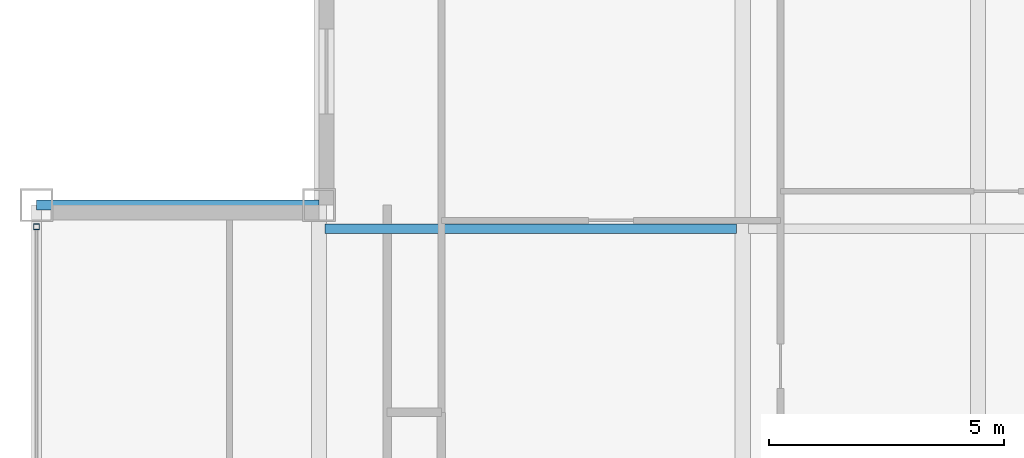
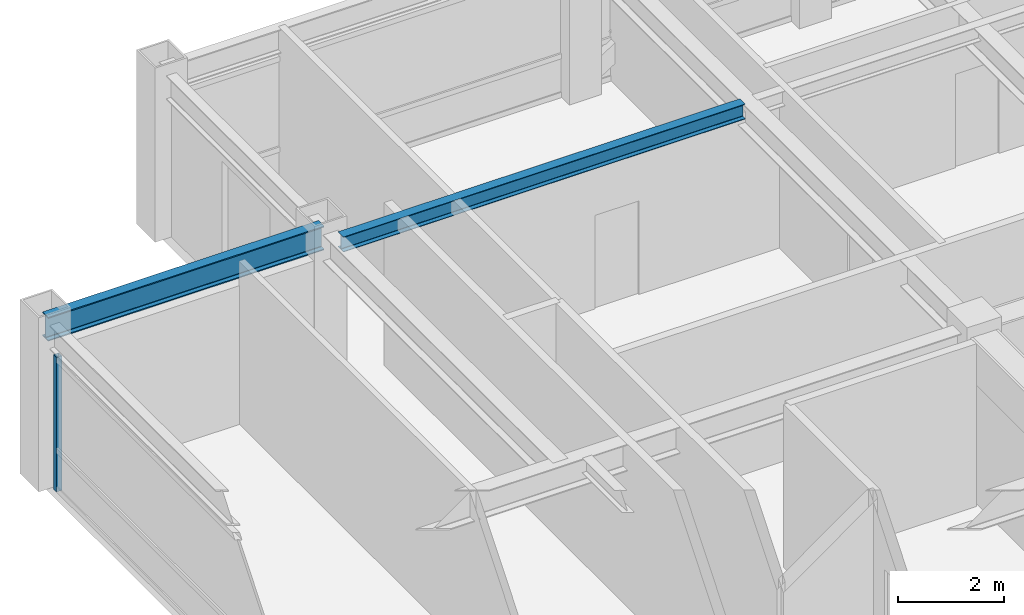
# One storey, part 14 of 29: 2 beams, 1 member, 1 element without a shape of its own.
"""IFC4 building model written with IfcOpenShell, lengths in metres."""

import ifcopenshell
import ifcopenshell.guid

model = None  # the IFC model being written
_history = None  # IfcOwnerHistory: only IFC2X3 demands one
_inside = {}  # id of a spatial element -> (the spatial element, [elements in it])
_under = {}  # id of a project, library or spatial element -> (it, [spatial elements below it])
_declared = {}  # id of a project -> (the project, [libraries it declares])
_typed = {}  # id of a type object -> (the type object, [elements of that type])
_made_of = {}  # id of a material, layer set ... -> (it, [elements and type objects made of it])


def new_model(schema):
    """Start an empty IFC model of exactly this schema.

    Asked for "IFC4X3", IfcOpenShell would pick the latest addendum, in which some entities
    have other attributes; the version numbers below select the first issue.
    IFC2X3 requires an IfcOwnerHistory on every rooted entity: one is made here for all.
    """
    global model, _history
    if schema == "IFC4X3":
        model = ifcopenshell.file(schema_version=(4, 3, 0, 0))
    else:
        model = ifcopenshell.file(schema=schema)
    _inside.clear()
    _under.clear()
    _declared.clear()
    _typed.clear()
    _made_of.clear()
    _history = None
    if model.schema == "IFC2X3":
        org = make("IfcOrganization", Name="unknown")
        user = make(
            "IfcPersonAndOrganization",
            ThePerson=make("IfcPerson", FamilyName="unknown"),
            TheOrganization=org,
        )
        app = make(
            "IfcApplication",
            ApplicationDeveloper=org,
            Version="unknown",
            ApplicationFullName="unknown",
            ApplicationIdentifier="unknown",
        )
        _history = make(
            "IfcOwnerHistory",
            OwningUser=user,
            OwningApplication=app,
            ChangeAction="ADDED",
            CreationDate=0,
        )
    return model


def make(cls, **values):
    """One entity of the class cls with the attributes given. An attribute that is None is left unset."""
    return model.create_entity(
        cls, **{name: value for name, value in values.items() if value is not None}
    )


def rooted(cls, **values):
    """An entity with a GlobalId (a new one), such as an element, a storey or a relation."""
    return make(cls, GlobalId=ifcopenshell.guid.new(), OwnerHistory=_history, **values)


def si_unit(unit_type, name, prefix=None):
    """IfcSIUnit, for example si_unit("LENGTHUNIT", "METRE", prefix="MILLI")."""
    return make("IfcSIUnit", UnitType=unit_type, Prefix=prefix, Name=name)


def assignment(units):
    """IfcUnitAssignment: the units of a project."""
    return None if units is None else make("IfcUnitAssignment", Units=units)


def point(xyz):
    """IfcCartesianPoint."""
    return None if xyz is None else make("IfcCartesianPoint", Coordinates=xyz)


def direction(xyz):
    """IfcDirection."""
    return None if xyz is None else make("IfcDirection", DirectionRatios=xyz)


def frame(location, z_axis=None, x_axis=None):
    """IfcAxis2Placement3D, a coordinate frame: its origin and axes. An axis left out is left unset."""
    return make(
        "IfcAxis2Placement3D",
        Location=point(location),
        Axis=direction(z_axis),
        RefDirection=direction(x_axis),
    )


def frame_2d(location, x_axis=None):
    """IfcAxis2Placement2D, a coordinate frame in the plane: its origin and x axis."""
    return make(
        "IfcAxis2Placement2D", Location=point(location), RefDirection=direction(x_axis)
    )


def origin():
    """The frame at (0, 0, 0) with its axes left unset."""
    return frame((0.0, 0.0, 0.0))


def origin_2d():
    """The frame at (0, 0) in the plane with its x axis left unset."""
    return frame_2d((0.0, 0.0))


def place(relative_to, where):
    """IfcLocalPlacement: puts the frame where relative to a parent placement (None: the world)."""
    return make(
        "IfcLocalPlacement", PlacementRelTo=relative_to, RelativePlacement=where
    )


def context(
    kind, dimensions, precision=None, world=None, true_north=None, identifier=None
):
    """IfcGeometricRepresentationContext, for example the 3D "Model" context."""
    return make(
        "IfcGeometricRepresentationContext",
        ContextIdentifier=identifier,
        ContextType=kind,
        CoordinateSpaceDimension=dimensions,
        Precision=precision,
        WorldCoordinateSystem=world,
        TrueNorth=true_north,
    )


def subcontext(parent, identifier, kind, view, scale=None):
    """IfcGeometricRepresentationSubContext, for example "Body" below "Model"."""
    return make(
        "IfcGeometricRepresentationSubContext",
        ContextIdentifier=identifier,
        ContextType=kind,
        ParentContext=parent,
        TargetScale=scale,
        TargetView=view,
    )


def project(units=None, contexts=None):
    """IfcProject with its units and contexts."""
    return rooted(
        "IfcProject",
        Name="project",
        RepresentationContexts=contexts,
        UnitsInContext=assignment(units),
    )


def spatial(cls, under=None, at=None, **own):
    """A site, building, storey or space (cls), placed at a placement, below another one or the project."""
    s = rooted(cls, ObjectPlacement=at, **own)
    if under is not None:
        _under.setdefault(under.id(), (under, []))[1].append(s)
    return s


def profile(cls, at=None, kind="AREA", **sizes):
    """A parametric profile (cls). Its sizes go by their IFC names, for example OverallWidth=200.0."""
    return make(cls, ProfileType=kind, Position=at, **sizes)


def hollow_rectangle(**sizes):
    """IfcRectangleHollowProfileDef."""
    return profile("IfcRectangleHollowProfileDef", **sizes)


def i_section(**sizes):
    """IfcIShapeProfileDef."""
    return profile("IfcIShapeProfileDef", **sizes)


def extrude(swept, where, along, depth):
    """IfcExtrudedAreaSolid: the profile swept, set in the frame where, extruded along a direction by depth."""
    return make(
        "IfcExtrudedAreaSolid",
        SweptArea=swept,
        Position=where,
        ExtrudedDirection=direction(along),
        Depth=depth,
    )


def shape(context_of_items, identifier, shape_type, items):
    """IfcShapeRepresentation: the items that make up one representation, for example the "Body"."""
    return make(
        "IfcShapeRepresentation",
        ContextOfItems=context_of_items,
        RepresentationIdentifier=identifier,
        RepresentationType=shape_type,
        Items=items,
    )


def source(mapping_origin, context_of_items, identifier, shape_type, items):
    """IfcRepresentationMap: a shape defined once, which mapped items show again and again."""
    return make(
        "IfcRepresentationMap",
        MappingOrigin=mapping_origin,
        MappedRepresentation=shape(context_of_items, identifier, shape_type, items),
    )


def transform(
    local_origin,
    x_axis=None,
    y_axis=None,
    z_axis=None,
    scale=None,
    scale2=None,
    scale3=None,
    uniform=True,
):
    """IfcCartesianTransformationOperator3D, or its non-uniform kind. x_axis, y_axis, z_axis: its Axis1, 2, 3."""
    if uniform:
        return make(
            "IfcCartesianTransformationOperator3D",
            Axis1=direction(x_axis),
            Axis2=direction(y_axis),
            LocalOrigin=point(local_origin),
            Scale=scale,
            Axis3=direction(z_axis),
        )
    return make(
        "IfcCartesianTransformationOperator3DnonUniform",
        Axis1=direction(x_axis),
        Axis2=direction(y_axis),
        LocalOrigin=point(local_origin),
        Scale=scale,
        Axis3=direction(z_axis),
        Scale2=scale2,
        Scale3=scale3,
    )


def mapped(mapping_source, mapping_target):
    """IfcMappedItem: shows the shape of a source again, moved by a transform."""
    return make(
        "IfcMappedItem", MappingSource=mapping_source, MappingTarget=mapping_target
    )


def material(Name=None, Category=None):
    """IfcMaterial."""
    return make("IfcMaterial", Name=Name, Category=Category)


def material_profile(
    of_material, cross_section, Name=None, Category=None, Priority=None
):
    """IfcMaterialProfile: a cross section and its material."""
    return make(
        "IfcMaterialProfile",
        Name=Name,
        Material=of_material,
        Profile=cross_section,
        Priority=Priority,
        Category=Category,
    )


def profile_set(profiles, Name=None, composite=None):
    """IfcMaterialProfileSet."""
    return make(
        "IfcMaterialProfileSet",
        Name=Name,
        MaterialProfiles=profiles,
        CompositeProfile=composite,
    )


def made_of(thing, what):
    """Note that an element or type object is made of a material, layer set ...; save() writes the relation."""
    if what is not None:
        _made_of.setdefault(what.id(), (what, []))[1].append(thing)
    return thing


def type_object(cls, material=None, **own):
    """A type object (cls), such as IfcWallType, which elements share."""
    return made_of(rooted(cls, **own), material)


def element(
    cls,
    number,
    at=None,
    inside=None,
    cuts=None,
    type_object=None,
    material=None,
    context=None,
    identifier="Body",
    shape_type=None,
    held_by="IfcProductDefinitionShape",
    body=None,
    shapes=None,
    **own,
):
    """One element of the class cls, such as IfcWall. Its Tag is "e" and its number.

    at: its placement. inside: the storey or other place that contains it. cuts: it is an
    opening in that element (IfcRelVoidsElement). A single representation is given by context,
    identifier, shape_type and body (its items); several are given by shapes. held_by: the class
    of the entity that holds the representations. save() writes the other relations.
    """
    e = rooted(cls, Tag="e%d" % number, ObjectPlacement=at, **own)
    if body is not None:
        shapes = [shape(context, identifier, shape_type, body)]
    if shapes is not None:
        e.Representation = make(held_by, Representations=shapes)
    if inside is not None:
        _inside.setdefault(inside.id(), (inside, []))[1].append(e)
    if cuts is not None:
        rooted(
            "IfcRelVoidsElement", RelatingBuildingElement=cuts, RelatedOpeningElement=e
        )
    if type_object is not None:
        _typed.setdefault(type_object.id(), (type_object, []))[1].append(e)
    return made_of(e, material)


def aggregate(whole, parts):
    """IfcRelAggregates: a whole, such as a stair, and the parts it consists of."""
    return rooted("IfcRelAggregates", RelatingObject=whole, RelatedObjects=parts)


def save(model, path):
    """Write the relations noted so far, then the file.

    IfcRelAggregates (storeys below a building ...), IfcRelContainedInSpatialStructure (elements
    in a storey), IfcRelDefinesByType, IfcRelAssociatesMaterial and IfcRelDeclares: one each for
    every whole, place, type object, material and project.
    """
    for whole, parts in _under.values():
        aggregate(whole, parts)
    for where, things in _inside.values():
        rooted(
            "IfcRelContainedInSpatialStructure",
            RelatedElements=things,
            RelatingStructure=where,
        )
    for kind, things in _typed.values():
        rooted("IfcRelDefinesByType", RelatedObjects=things, RelatingType=kind)
    for what, things in _made_of.values():
        rooted("IfcRelAssociatesMaterial", RelatedObjects=things, RelatingMaterial=what)
    for by, libraries in _declared.values():
        rooted("IfcRelDeclares", RelatingContext=by, RelatedDefinitions=libraries)
    model.write(path)


model = new_model("IFC4")

# Units and contexts
model_context = context("Model", 3, precision=1e-05, world=origin(), true_north=direction((0.0, 1.0)))
body_context = subcontext(model_context, "Body", "Model", "MODEL_VIEW")
ifc_project = project(units=[si_unit("LENGTHUNIT", "METRE"), si_unit("AREAUNIT", "SQUARE_METRE"), si_unit("VOLUMEUNIT", "CUBIC_METRE"), si_unit("PLANEANGLEUNIT", "RADIAN"), si_unit("MASSUNIT", "GRAM", prefix="KILO")], contexts=[model_context])

# Site, building, storey
site_placement = place(None, origin())
site = spatial("IfcSite", under=ifc_project, at=site_placement, CompositionType="ELEMENT")
building_placement = place(site_placement, origin())
building = spatial("IfcBuilding", under=site, at=building_placement, Name="Khorayat Bourse Tower", CompositionType="ELEMENT")
storey_placement = place(building_placement, frame((0.0, 0.0, 358.300048828125)))
storey = spatial("IfcBuildingStorey", under=building, at=storey_placement, Name="L85", CompositionType="ELEMENT", Elevation=358.300048828125)

# Beams
ifc_material_1 = material(Name="Steel ASTM A992 Grade 50", Category="steel")
ifc_material_profile_1 = material_profile(ifc_material_1, i_section(OverallWidth=0.214111328125, OverallDepth=0.549072265625, WebThickness=0.0146484375, FlangeThickness=0.023681640625, FilletRadius=0.013916015625, at=origin_2d()), Name="W530X138")
ifc_profile_set_1 = profile_set([ifc_material_profile_1], Name="Steel ASTM A992 Grade 50")
beam_type_1 = type_object("IfcBeamType", Name="BM-SPAN-530", PredefinedType="SPANDREL", material=ifc_profile_set_1)
shared_shape_1 = source(origin(), body_context, "Body", "SweptSolid", [
    extrude(i_section(OverallWidth=0.214111328125, OverallDepth=0.549072265625, WebThickness=0.0146484375, FlangeThickness=0.023681640625, FilletRadius=0.013916015625, at=origin_2d()), origin(), (0.0, 0.0, 1.0), 6.0),
])
beam_1_placement = place(storey_placement, frame((-26.0, 20.0, 3.46533203125), z_axis=(1.0, 0.0, 0.0), x_axis=(0.0, 1.0, 0.0)))
element("IfcBeam", 1, at=beam_1_placement, inside=storey, type_object=beam_type_1, Name="L85 BM-SPAN-530 BM-L85-SPN-047", PredefinedType="SPANDREL", context=body_context, shape_type="MappedRepresentation", body=[
    mapped(shared_shape_1, transform((0.0, 0.0, 0.0), scale=1.0)),
])
ifc_material_profile_2 = material_profile(ifc_material_1, i_section(OverallWidth=0.202880859375, OverallDepth=0.346923828125, WebThickness=0.0078125, FlangeThickness=0.013427734375, FilletRadius=0.010009765625, at=origin_2d()), Name="W360X64")
ifc_profile_set_2 = profile_set([ifc_material_profile_2], Name="Steel ASTM A992 Grade 50")
beam_type_2 = type_object("IfcBeamType", Name="BM-JOIST-360", PredefinedType="JOIST", material=ifc_profile_set_2)
shared_shape_2 = source(origin(), body_context, "Body", "SweptSolid", [
    extrude(i_section(OverallWidth=0.202880859375, OverallDepth=0.346923828125, WebThickness=0.0078125, FlangeThickness=0.013427734375, FilletRadius=0.010009765625, at=origin_2d()), origin(), (0.0, 0.0, 1.0), 8.740234375),
])
beam_2_placement = place(storey_placement, frame((-19.8701171875, 19.5, 3.56640625), z_axis=(1.0, 0.0, 0.0), x_axis=(0.0, 1.0, 0.0)))
element("IfcBeam", 2, at=beam_2_placement, inside=storey, type_object=beam_type_2, Name="L85 BM-JOIST-360 BM-L85-JSTX-083", PredefinedType="JOIST", context=body_context, shape_type="MappedRepresentation", body=[
    mapped(shared_shape_2, transform((0.0, 0.0, 0.0), scale=1.0)),
])

# Curtain wall, member
ifc_material_2 = material(Name="Aluminium EN AW-6063 T6", Category="aluminium")
curtain_wall_type = type_object("IfcCurtainWallType", Name="CW-SYS-04", PredefinedType="NOTDEFINED", material=ifc_material_2)
curtain_wall_placement = place(storey_placement, origin())
curtain_wall = element("IfcCurtainWall", 3, at=curtain_wall_placement, inside=storey, type_object=curtain_wall_type, Name="L85 Curtain Wall CW-L85-W1", PredefinedType="NOTDEFINED")
ifc_material_profile_3 = material_profile(ifc_material_2, hollow_rectangle(XDim=0.1201171875, YDim=0.1201171875, WallThickness=0.0048828125, at=origin_2d()), Name="ALU 120x120x5")
ifc_profile_set_3 = profile_set([ifc_material_profile_3], Name="Aluminium EN AW-6063 T6")
member_type = type_object("IfcMemberType", Name="CWM-VERT-120", PredefinedType="MULLION", material=ifc_profile_set_3)
shared_shape_3 = source(origin(), body_context, "Body", "SweptSolid", [
    extrude(hollow_rectangle(XDim=0.1201171875, YDim=0.1201171875, WallThickness=0.0048828125, at=origin_2d()), origin(), (0.0, 0.0, 1.0), 3.08984375),
])
member_placement = place(storey_placement, frame((-26.0, 19.5400390625, 0.0), z_axis=(0.0, 0.0, 1.0), x_axis=(-1.0, 0.0, 0.0)))
member = element("IfcMember", 4, at=member_placement, type_object=member_type, Name="CW-L85-W1 Vertical Mullion 3", PredefinedType="MULLION", context=body_context, shape_type="MappedRepresentation", body=[
    mapped(shared_shape_3, transform((0.0, 0.0, 0.0), scale=1.0)),
])
aggregate(curtain_wall, [member])

save(model, "model.ifc")
